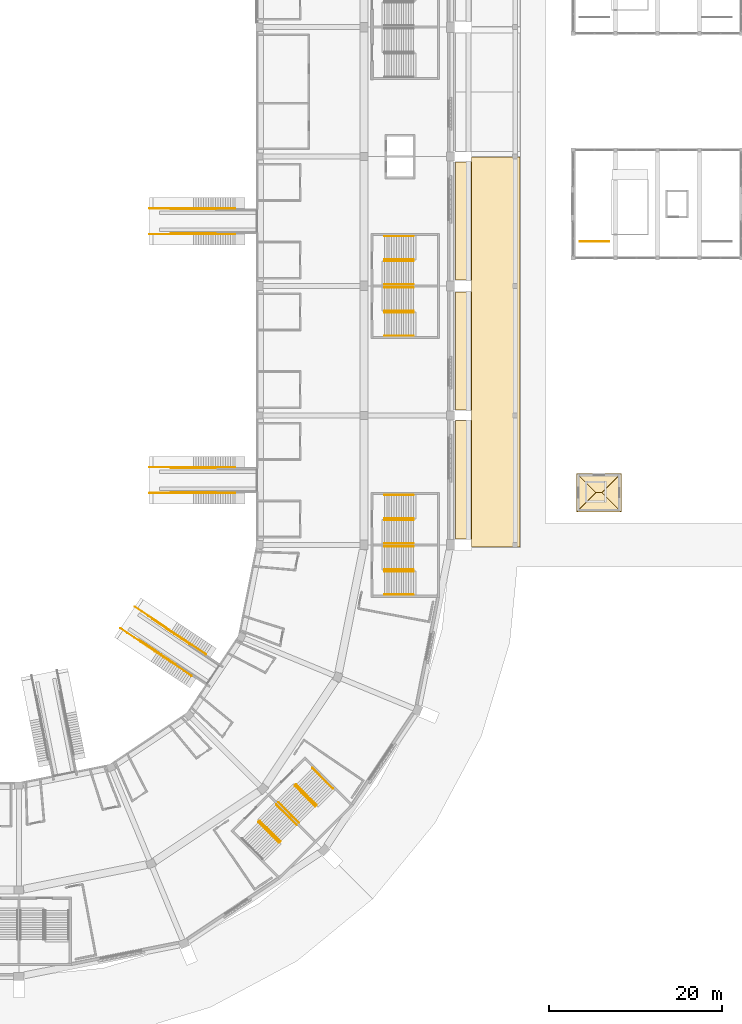
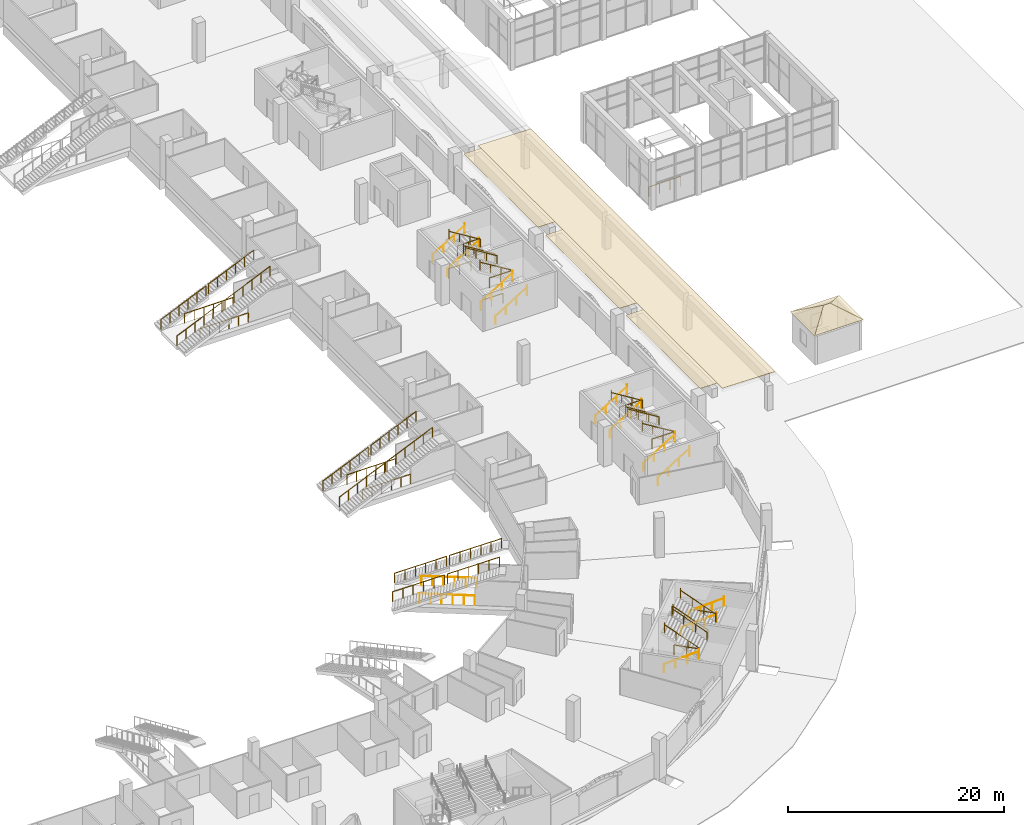
# One storey, part 160 of 175: 50 railings, 8 coverings.
"""IFC4 building model written with IfcOpenShell, lengths in metres."""

from ifc_helpers import new_model, si_unit, direction, frame, origin, origin_2d, place, context, subcontext, project, spatial, polyline, circle, outline, extrude, material, layer, layer_set, type_object, element, save


model = new_model("IFC4")

# Units and contexts
model_context = context("Model", 3, precision=1e-05, world=origin(), true_north=direction((0.0, 1.0)))
body_context = subcontext(model_context, "Body", "Model", "MODEL_VIEW")
ifc_project = project(units=[si_unit("LENGTHUNIT", "METRE"), si_unit("AREAUNIT", "SQUARE_METRE"), si_unit("VOLUMEUNIT", "CUBIC_METRE"), si_unit("PLANEANGLEUNIT", "RADIAN"), si_unit("MASSUNIT", "GRAM", prefix="KILO")], contexts=[model_context])

# Site, building, storey
site_placement = place(None, origin())
site = spatial("IfcSite", under=ifc_project, at=site_placement, CompositionType="ELEMENT")
building_placement = place(site_placement, origin())
building = spatial("IfcBuilding", under=site, at=building_placement, Name="Ogive Plaza Stadium", CompositionType="ELEMENT")
storey_placement = place(building_placement, origin())
storey = spatial("IfcBuildingStorey", under=building, at=storey_placement, Name="L00", CompositionType="ELEMENT", Elevation=0.0)

# Coverings
ifc_material_1 = material(Name="Zinc sheet", Category="metal")
ifc_layer_1 = layer(ifc_material_1, 0.0400390625)
ifc_layer_set_1 = layer_set([ifc_layer_1], Name="Arcade roof zinc 40")
covering_type_1 = type_object("IfcCoveringType", Name="Arcade roof zinc 40", PredefinedType="ROOFING", material=ifc_layer_set_1)
covering_1_placement = place(storey_placement, frame((86.419921875, -7.570068359375, 4.230712890625), z_axis=(0.016129032122, 0.0, 0.999869918701), x_axis=(0.999869918701, 0.0, -0.016129032122)))
element("IfcCovering", 1, at=covering_1_placement, inside=storey, type_object=covering_type_1, Name="Arcade roof covering 2", PredefinedType="ROOFING", context=body_context, shape_type="SweptSolid", body=[
    extrude(outline(polyline([(0.0, 0.0), (5.6308594226340976, 0.0), (5.6308594226340976, -45.169921875), (0.0, -45.169921875), (0.0, 0.0)])), origin(), (0.0, 0.0, -1.0), 0.0400390625),
])
for number, where, z_axis, x_axis, name in (
    (2, (84.60009765625, -21.7900390625, 4.260009765625), (0.016096653187, 0.0, 0.999870440485), (0.999870440485, 0.0, -0.016096653187), "Arcade roof covering 2 bay 1"),
    (3, (84.60009765625, -36.889892578125, 4.260009765625), (0.016096653187, 0.0, 0.999870440485), (0.999870440485, 0.0, -0.016096653187), "Arcade roof covering 2 bay 2"),
    (4, (84.60009765625, -51.7900390625, 4.260009765625), (0.016096653187, 0.0, 0.999870440485), (0.999870440485, 0.0, -0.016096653187), "Arcade roof covering 2 bay 3"),
):
    element("IfcCovering", number, at=place(storey_placement, frame(where, z_axis=z_axis, x_axis=x_axis)), inside=storey, type_object=covering_type_1, Name=name, PredefinedType="ROOFING", context=body_context, shape_type="SweptSolid", body=[
        extrude(outline(polyline([(0.0, 0.0), (1.820060024843635, 0.0), (1.820060024843635, 13.679931640625), (0.0, 13.679931640625), (0.0, 0.0)])), origin(), (0.0, 0.0, -1.0), 0.0400390625),
    ])

# Railings
ifc_material_2 = material(Name="Steel ASTM A572 Grade 50", Category="steel")
railing_type_1 = type_object("IfcRailingType", Name="Guard 1100", PredefinedType="GUARDRAIL", material=ifc_material_2)
for number, where, name in (
    (5, (76.35009765625, -25.47509765625, 0.0), "Stair well guard ST06A L00"),
    (6, (77.31005859375, -25.47509765625, 2.25), "Stair well guard ST06A L00"),
    (7, (76.35009765625, -19.52490234375, 0.0), "Stair well guard ST06B L00"),
    (8, (77.31005859375, -19.52490234375, 2.25), "Stair well guard ST06B L00"),
    (9, (77.31005859375, -55.47509765625, 2.25), "Stair well guard ST08A L00"),
    (10, (77.31005859375, -49.52490234375, 2.25), "Stair well guard ST08B L00"),
):
    element("IfcRailing", number, at=place(storey_placement, frame(where)), inside=storey, type_object=railing_type_1, Name=name, PredefinedType="GUARDRAIL", context=body_context, shape_type="SweptSolid", body=[
        extrude(circle(Radius=0.02392578125, at=origin_2d()), frame((0.0, 0.0, 1.076171875), z_axis=(1.0, 0.0, 0.0), x_axis=(0.0, 1.0, 0.0)), (0.0, 0.0, 1.0), 2.39990234375),
        extrude(circle(Radius=0.02099609375, at=origin_2d()), origin(), (0.0, 0.0, 1.0), 1.052001953125),
        extrude(circle(Radius=0.02099609375, at=origin_2d()), frame((1.199951171875, 0.0, 0.0)), (0.0, 0.0, 1.0), 1.052001953125),
        extrude(circle(Radius=0.02099609375, at=origin_2d()), frame((2.39990234375, 0.0, 0.0)), (0.0, 0.0, 1.0), 1.052001953125),
    ])
for number, where, name in (
    (11, (62.521240234375, -85.228515625, 2.25), "Stair well guard ST10A L00"),
    (12, (66.728515625, -81.021240234375, 2.25), "Stair well guard ST10B L00"),
):
    element("IfcRailing", number, at=place(storey_placement, frame(where)), inside=storey, type_object=railing_type_1, Name=name, PredefinedType="GUARDRAIL", context=body_context, shape_type="SweptSolid", body=[
        extrude(circle(Radius=0.02392578125, at=origin_2d()), frame((0.0, 0.0, 1.076171875), z_axis=(0.707106781187, -0.707106781187, 0.0), x_axis=(0.707106781187, 0.707106781187, 0.0)), (0.0, 0.0, 1.0), 2.39990234375),
        extrude(circle(Radius=0.02099609375, at=origin_2d()), origin(), (0.0, 0.0, 1.0), 1.052001953125),
        extrude(circle(Radius=0.02099609375, at=origin_2d()), frame((0.8486328125, -0.8486328125, 0.0)), (0.0, 0.0, 1.0), 1.052001953125),
        extrude(circle(Radius=0.02099609375, at=origin_2d()), frame((1.697021484375, -1.697021484375, 0.0)), (0.0, 0.0, 1.0), 1.052001953125),
    ])
for number, where, name in (
    (13, (49.14990234375, -16.5, 0.125), "Vomitory guard B05"),
    (14, (54.25, -16.5, 2.375), "Vomitory guard B05"),
    (15, (49.14990234375, -13.5, 0.125), "Vomitory guard B05"),
    (16, (54.25, -13.5, 2.375), "Vomitory guard B05"),
):
    element("IfcRailing", number, at=place(storey_placement, frame(where)), inside=storey, type_object=railing_type_1, Name=name, PredefinedType="GUARDRAIL", context=body_context, shape_type="SweptSolid", body=[
        extrude(circle(Radius=0.02392578125, at=origin_2d()), frame((0.0, 0.0, 1.076171875), z_axis=(0.914917297869, 0.0, 0.403641348302), x_axis=(0.0, 1.0, 0.0)), (0.0, 0.0, 1.0), 5.2646484375),
        extrude(circle(Radius=0.02099609375, at=origin_2d()), origin(), (0.0, 0.0, 1.0), 1.052001953125),
        extrude(circle(Radius=0.02099609375, at=origin_2d()), frame((0.96337890625, 0.0, 0.425048828125)), (0.0, 0.0, 1.0), 1.052001953125),
        extrude(circle(Radius=0.02099609375, at=origin_2d()), frame((1.9267578125, 0.0, 0.85009765625)), (0.0, 0.0, 1.0), 1.052001953125),
        extrude(circle(Radius=0.02099609375, at=origin_2d()), frame((2.889892578125, 0.0, 1.27490234375)), (0.0, 0.0, 1.0), 1.052001953125),
        extrude(circle(Radius=0.02099609375, at=origin_2d()), frame((3.853271484375, 0.0, 1.699951171875)), (0.0, 0.0, 1.0), 1.052001953125),
        extrude(circle(Radius=0.02099609375, at=origin_2d()), frame((4.816650390625, 0.0, 2.125)), (0.0, 0.0, 1.0), 1.052001953125),
    ])
for number, where, name in (
    (17, (51.643310546875, -16.419921875, 0.0), "Vomitory edge guard B05"),
    (18, (51.643310546875, -13.580078125, 0.0), "Vomitory edge guard B05"),
):
    element("IfcRailing", number, at=place(storey_placement, frame(where)), inside=storey, type_object=railing_type_1, Name=name, PredefinedType="GUARDRAIL", context=body_context, shape_type="SweptSolid", body=[
        extrude(circle(Radius=0.02392578125, at=origin_2d()), frame((0.0, 0.0, 1.076171875), z_axis=(1.0, 0.0, 0.0), x_axis=(0.0, 1.0, 0.0)), (0.0, 0.0, 1.0), 5.15673828125),
        extrude(circle(Radius=0.02099609375, at=origin_2d()), origin(), (0.0, 0.0, 1.0), 1.052001953125),
        extrude(circle(Radius=0.02099609375, at=origin_2d()), frame((1.03125, 0.0, 0.0)), (0.0, 0.0, 1.0), 1.052001953125),
        extrude(circle(Radius=0.02099609375, at=origin_2d()), frame((2.062744140625, 0.0, 0.0)), (0.0, 0.0, 1.0), 1.052001953125),
        extrude(circle(Radius=0.02099609375, at=origin_2d()), frame((3.093994140625, 0.0, 0.0)), (0.0, 0.0, 1.0), 1.052001953125),
        extrude(circle(Radius=0.02099609375, at=origin_2d()), frame((4.12548828125, 0.0, 0.0)), (0.0, 0.0, 1.0), 1.052001953125),
        extrude(circle(Radius=0.02099609375, at=origin_2d()), frame((5.15673828125, 0.0, 0.0)), (0.0, 0.0, 1.0), 1.052001953125),
    ])
for number, where, name in (
    (19, (49.14990234375, -46.5, 0.125), "Vomitory guard B07"),
    (20, (54.25, -46.5, 2.375), "Vomitory guard B07"),
    (21, (49.14990234375, -43.5, 0.125), "Vomitory guard B07"),
    (22, (54.25, -43.5, 2.375), "Vomitory guard B07"),
):
    element("IfcRailing", number, at=place(storey_placement, frame(where)), inside=storey, type_object=railing_type_1, Name=name, PredefinedType="GUARDRAIL", context=body_context, shape_type="SweptSolid", body=[
        extrude(circle(Radius=0.02392578125, at=origin_2d()), frame((0.0, 0.0, 1.076171875), z_axis=(0.914917297869, 0.0, 0.403641348302), x_axis=(0.0, 1.0, 0.0)), (0.0, 0.0, 1.0), 5.2646484375),
        extrude(circle(Radius=0.02099609375, at=origin_2d()), origin(), (0.0, 0.0, 1.0), 1.052001953125),
        extrude(circle(Radius=0.02099609375, at=origin_2d()), frame((0.96337890625, 0.0, 0.425048828125)), (0.0, 0.0, 1.0), 1.052001953125),
        extrude(circle(Radius=0.02099609375, at=origin_2d()), frame((1.9267578125, 0.0, 0.85009765625)), (0.0, 0.0, 1.0), 1.052001953125),
        extrude(circle(Radius=0.02099609375, at=origin_2d()), frame((2.889892578125, 0.0, 1.27490234375)), (0.0, 0.0, 1.0), 1.052001953125),
        extrude(circle(Radius=0.02099609375, at=origin_2d()), frame((3.853271484375, 0.0, 1.699951171875)), (0.0, 0.0, 1.0), 1.052001953125),
        extrude(circle(Radius=0.02099609375, at=origin_2d()), frame((4.816650390625, 0.0, 2.125)), (0.0, 0.0, 1.0), 1.052001953125),
    ])
for number, where, name in (
    (23, (51.643310546875, -46.419921875, 0.0), "Vomitory edge guard B07"),
    (24, (51.643310546875, -43.580078125, 0.0), "Vomitory edge guard B07"),
):
    element("IfcRailing", number, at=place(storey_placement, frame(where)), inside=storey, type_object=railing_type_1, Name=name, PredefinedType="GUARDRAIL", context=body_context, shape_type="SweptSolid", body=[
        extrude(circle(Radius=0.02392578125, at=origin_2d()), frame((0.0, 0.0, 1.076171875), z_axis=(1.0, 0.0, 0.0), x_axis=(0.0, 1.0, 0.0)), (0.0, 0.0, 1.0), 5.15673828125),
        extrude(circle(Radius=0.02099609375, at=origin_2d()), origin(), (0.0, 0.0, 1.0), 1.052001953125),
        extrude(circle(Radius=0.02099609375, at=origin_2d()), frame((1.03125, 0.0, 0.0)), (0.0, 0.0, 1.0), 1.052001953125),
        extrude(circle(Radius=0.02099609375, at=origin_2d()), frame((2.062744140625, 0.0, 0.0)), (0.0, 0.0, 1.0), 1.052001953125),
        extrude(circle(Radius=0.02099609375, at=origin_2d()), frame((3.093994140625, 0.0, 0.0)), (0.0, 0.0, 1.0), 1.052001953125),
        extrude(circle(Radius=0.02099609375, at=origin_2d()), frame((4.12548828125, 0.0, 0.0)), (0.0, 0.0, 1.0), 1.052001953125),
        extrude(circle(Radius=0.02099609375, at=origin_2d()), frame((5.15673828125, 0.0, 0.0)), (0.0, 0.0, 1.0), 1.052001953125),
    ])
for number, where, name in (
    (25, (45.763427734375, -62.1640625, 0.125), "Vomitory guard B09"),
    (26, (50.00390625, -64.99755859375, 2.375), "Vomitory guard B09"),
    (27, (47.43017578125, -59.669677734375, 0.125), "Vomitory guard B09"),
    (28, (51.670654296875, -62.503173828125, 2.375), "Vomitory guard B09"),
):
    element("IfcRailing", number, at=place(storey_placement, frame(where)), inside=storey, type_object=railing_type_1, Name=name, PredefinedType="GUARDRAIL", context=body_context, shape_type="SweptSolid", body=[
        extrude(circle(Radius=0.02392578125, at=origin_2d()), frame((0.0, 0.0, 1.076171875), z_axis=(0.760721903755, -0.508307290116, 0.403640785801), x_axis=(0.555577158095, 0.831464985073, 0.0)), (0.0, 0.0, 1.0), 5.2646484375),
        extrude(circle(Radius=0.02099609375, at=origin_2d()), origin(), (0.0, 0.0, 1.0), 1.052001953125),
        extrude(circle(Radius=0.02099609375, at=origin_2d()), frame((0.801025390625, -0.53515625, 0.425048828125)), (0.0, 0.0, 1.0), 1.052001953125),
        extrude(circle(Radius=0.02099609375, at=origin_2d()), frame((1.60205078125, -1.0703125, 0.85009765625)), (0.0, 0.0, 1.0), 1.052001953125),
        extrude(circle(Radius=0.02099609375, at=origin_2d()), frame((2.40283203125, -1.605712890625, 1.27490234375)), (0.0, 0.0, 1.0), 1.052001953125),
        extrude(circle(Radius=0.02099609375, at=origin_2d()), frame((3.203857421875, -2.140869140625, 1.699951171875)), (0.0, 0.0, 1.0), 1.052001953125),
        extrude(circle(Radius=0.02099609375, at=origin_2d()), frame((4.0048828125, -2.676025390625, 2.125)), (0.0, 0.0, 1.0), 1.052001953125),
    ])
railing_1_placement = place(storey_placement, frame((47.881103515625, -63.48291015625, 0.0)))
element("IfcRailing", 29, at=railing_1_placement, inside=storey, type_object=railing_type_1, Name="Vomitory edge guard B09", PredefinedType="GUARDRAIL", context=body_context, shape_type="SweptSolid", body=[
    extrude(circle(Radius=0.02392578125, at=origin_2d()), frame((0.0, 0.0, 1.076171875), z_axis=(0.831481711871, -0.555552124308, 0.0), x_axis=(0.555552124308, 0.831481711871, 0.0)), (0.0, 0.0, 1.0), 5.156494140625),
    extrude(circle(Radius=0.02099609375, at=origin_2d()), origin(), (0.0, 0.0, 1.0), 1.052001953125),
    extrude(circle(Radius=0.02099609375, at=origin_2d()), frame((0.857421875, -0.572998046875, 0.0)), (0.0, 0.0, 1.0), 1.052001953125),
    extrude(circle(Radius=0.02099609375, at=origin_2d()), frame((1.715087890625, -1.14599609375, 0.0)), (0.0, 0.0, 1.0), 1.052001953125),
    extrude(circle(Radius=0.02099609375, at=origin_2d()), frame((2.572509765625, -1.71875, 0.0)), (0.0, 0.0, 1.0), 1.052001953125),
    extrude(circle(Radius=0.02099609375, at=origin_2d()), frame((3.43017578125, -2.291748046875, 0.0)), (0.0, 0.0, 1.0), 1.052001953125),
    extrude(circle(Radius=0.02099609375, at=origin_2d()), frame((4.28759765625, -2.86474609375, 0.0)), (0.0, 0.0, 1.0), 1.052001953125),
])
railing_2_placement = place(storey_placement, frame((49.458740234375, -61.121337890625, 0.0)))
element("IfcRailing", 30, at=railing_2_placement, inside=storey, type_object=railing_type_1, Name="Vomitory edge guard B09", PredefinedType="GUARDRAIL", context=body_context, shape_type="SweptSolid", body=[
    extrude(circle(Radius=0.02392578125, at=origin_2d()), frame((0.0, 0.0, 1.076171875), z_axis=(0.831459841427, -0.55558485589, 0.0), x_axis=(0.55558485589, 0.831459841427, 0.0)), (0.0, 0.0, 1.0), 5.15673828125),
    extrude(circle(Radius=0.02099609375, at=origin_2d()), origin(), (0.0, 0.0, 1.0), 1.052001953125),
    extrude(circle(Radius=0.02099609375, at=origin_2d()), frame((0.857421875, -0.572998046875, 0.0)), (0.0, 0.0, 1.0), 1.052001953125),
    extrude(circle(Radius=0.02099609375, at=origin_2d()), frame((1.715087890625, -1.14599609375, 0.0)), (0.0, 0.0, 1.0), 1.052001953125),
    extrude(circle(Radius=0.02099609375, at=origin_2d()), frame((2.572509765625, -1.718994140625, 0.0)), (0.0, 0.0, 1.0), 1.052001953125),
    extrude(circle(Radius=0.02099609375, at=origin_2d()), frame((3.43017578125, -2.2919921875, 0.0)), (0.0, 0.0, 1.0), 1.052001953125),
    extrude(circle(Radius=0.02099609375, at=origin_2d()), frame((4.28759765625, -2.864990234375, 0.0)), (0.0, 0.0, 1.0), 1.052001953125),
])
ifc_material_3 = material(Name="Steel ASTM A572 Grade 50", Category="steel")
railing_type_2 = type_object("IfcRailingType", Name="Handrail 900", PredefinedType="HANDRAIL", material=ifc_material_3)
for number, where, name in (
    (31, (76.35009765625, -28.264892578125, 0.173095703125), "Handrail ST06A L00"),
    (32, (76.35009765625, -25.5849609375, 0.173095703125), "Handrail ST06A L00"),
):
    element("IfcRailing", number, at=place(storey_placement, frame(where)), inside=storey, type_object=railing_type_2, Name=name, PredefinedType="HANDRAIL", context=body_context, shape_type="SweptSolid", body=[
        extrude(circle(Radius=0.02392578125, at=origin_2d()), frame((0.0, 0.0, 0.8759765625), z_axis=(0.850606129759, 0.0, 0.525803396734), x_axis=(0.0, 1.0, 0.0)), (0.0, 0.0, 1.0), 3.949951171875),
        extrude(circle(Radius=0.02099609375, at=origin_2d()), origin(), (0.0, 0.0, 1.0), 0.851806640625),
        extrude(circle(Radius=0.02099609375, at=origin_2d()), frame((1.119873046875, 0.0, 0.6923828125)), (0.0, 0.0, 1.0), 0.851806640625),
        extrude(circle(Radius=0.02099609375, at=origin_2d()), frame((2.239990234375, 0.0, 1.384521484375)), (0.0, 0.0, 1.0), 0.851806640625),
        extrude(circle(Radius=0.02099609375, at=origin_2d()), frame((3.35986328125, 0.0, 2.076904296875)), (0.0, 0.0, 1.0), 1.10009765625),
    ])
for number, where, name in (
    (33, (79.7099609375, -25.364990234375, 2.423095703125), "Handrail ST06A L00"),
    (34, (79.7099609375, -22.68505859375, 2.423095703125), "Handrail ST06A L00"),
):
    element("IfcRailing", number, at=place(storey_placement, frame(where)), inside=storey, type_object=railing_type_2, Name=name, PredefinedType="HANDRAIL", context=body_context, shape_type="SweptSolid", body=[
        extrude(circle(Radius=0.02392578125, at=origin_2d()), frame((0.0, 0.0, 0.8759765625), z_axis=(-0.850606129759, 0.0, 0.525803396734), x_axis=(0.0, -1.0, 0.0)), (0.0, 0.0, 1.0), 3.949951171875),
        extrude(circle(Radius=0.02099609375, at=origin_2d()), origin(), (0.0, 0.0, 1.0), 0.851806640625),
        extrude(circle(Radius=0.02099609375, at=origin_2d()), frame((-1.119873046875, 0.0, 0.6923828125)), (0.0, 0.0, 1.0), 0.851806640625),
        extrude(circle(Radius=0.02099609375, at=origin_2d()), frame((-2.239990234375, 0.0, 1.384521484375)), (0.0, 0.0, 1.0), 0.851806640625),
        extrude(circle(Radius=0.02099609375, at=origin_2d()), frame((-3.35986328125, 0.0, 2.076904296875)), (0.0, 0.0, 1.0), 1.10009765625),
    ])
for number, where, name in (
    (35, (76.35009765625, -19.4150390625, 0.173095703125), "Handrail ST06B L00"),
    (36, (76.35009765625, -16.735107421875, 0.173095703125), "Handrail ST06B L00"),
):
    element("IfcRailing", number, at=place(storey_placement, frame(where)), inside=storey, type_object=railing_type_2, Name=name, PredefinedType="HANDRAIL", context=body_context, shape_type="SweptSolid", body=[
        extrude(circle(Radius=0.02392578125, at=origin_2d()), frame((0.0, 0.0, 0.8759765625), z_axis=(0.850606129759, 0.0, 0.525803396734), x_axis=(0.0, 1.0, 0.0)), (0.0, 0.0, 1.0), 3.949951171875),
        extrude(circle(Radius=0.02099609375, at=origin_2d()), origin(), (0.0, 0.0, 1.0), 0.851806640625),
        extrude(circle(Radius=0.02099609375, at=origin_2d()), frame((1.119873046875, 0.0, 0.6923828125)), (0.0, 0.0, 1.0), 0.851806640625),
        extrude(circle(Radius=0.02099609375, at=origin_2d()), frame((2.239990234375, 0.0, 1.384521484375)), (0.0, 0.0, 1.0), 0.851806640625),
        extrude(circle(Radius=0.02099609375, at=origin_2d()), frame((3.35986328125, 0.0, 2.076904296875)), (0.0, 0.0, 1.0), 1.10009765625),
    ])
for number, where, name in (
    (37, (79.7099609375, -22.31494140625, 2.423095703125), "Handrail ST06B L00"),
    (38, (79.7099609375, -19.635009765625, 2.423095703125), "Handrail ST06B L00"),
):
    element("IfcRailing", number, at=place(storey_placement, frame(where)), inside=storey, type_object=railing_type_2, Name=name, PredefinedType="HANDRAIL", context=body_context, shape_type="SweptSolid", body=[
        extrude(circle(Radius=0.02392578125, at=origin_2d()), frame((0.0, 0.0, 0.8759765625), z_axis=(-0.850606129759, 0.0, 0.525803396734), x_axis=(0.0, -1.0, 0.0)), (0.0, 0.0, 1.0), 3.949951171875),
        extrude(circle(Radius=0.02099609375, at=origin_2d()), origin(), (0.0, 0.0, 1.0), 0.851806640625),
        extrude(circle(Radius=0.02099609375, at=origin_2d()), frame((-1.119873046875, 0.0, 0.6923828125)), (0.0, 0.0, 1.0), 0.851806640625),
        extrude(circle(Radius=0.02099609375, at=origin_2d()), frame((-2.239990234375, 0.0, 1.384521484375)), (0.0, 0.0, 1.0), 0.851806640625),
        extrude(circle(Radius=0.02099609375, at=origin_2d()), frame((-3.35986328125, 0.0, 2.076904296875)), (0.0, 0.0, 1.0), 1.10009765625),
    ])
for number, where, name in (
    (39, (76.35009765625, -58.264892578125, 0.173095703125), "Handrail ST08A L00"),
    (40, (76.35009765625, -55.5849609375, 0.173095703125), "Handrail ST08A L00"),
):
    element("IfcRailing", number, at=place(storey_placement, frame(where)), inside=storey, type_object=railing_type_2, Name=name, PredefinedType="HANDRAIL", context=body_context, shape_type="SweptSolid", body=[
        extrude(circle(Radius=0.02392578125, at=origin_2d()), frame((0.0, 0.0, 0.8759765625), z_axis=(0.850606129759, 0.0, 0.525803396734), x_axis=(0.0, 1.0, 0.0)), (0.0, 0.0, 1.0), 3.949951171875),
        extrude(circle(Radius=0.02099609375, at=origin_2d()), origin(), (0.0, 0.0, 1.0), 0.851806640625),
        extrude(circle(Radius=0.02099609375, at=origin_2d()), frame((1.119873046875, 0.0, 0.6923828125)), (0.0, 0.0, 1.0), 0.851806640625),
        extrude(circle(Radius=0.02099609375, at=origin_2d()), frame((2.239990234375, 0.0, 1.384521484375)), (0.0, 0.0, 1.0), 0.851806640625),
        extrude(circle(Radius=0.02099609375, at=origin_2d()), frame((3.35986328125, 0.0, 2.076904296875)), (0.0, 0.0, 1.0), 1.10009765625),
    ])
for number, where, name in (
    (41, (79.7099609375, -55.364990234375, 2.423095703125), "Handrail ST08A L00"),
    (42, (79.7099609375, -52.68505859375, 2.423095703125), "Handrail ST08A L00"),
):
    element("IfcRailing", number, at=place(storey_placement, frame(where)), inside=storey, type_object=railing_type_2, Name=name, PredefinedType="HANDRAIL", context=body_context, shape_type="SweptSolid", body=[
        extrude(circle(Radius=0.02392578125, at=origin_2d()), frame((0.0, 0.0, 0.8759765625), z_axis=(-0.850606129759, 0.0, 0.525803396734), x_axis=(0.0, -1.0, 0.0)), (0.0, 0.0, 1.0), 3.949951171875),
        extrude(circle(Radius=0.02099609375, at=origin_2d()), origin(), (0.0, 0.0, 1.0), 0.851806640625),
        extrude(circle(Radius=0.02099609375, at=origin_2d()), frame((-1.119873046875, 0.0, 0.6923828125)), (0.0, 0.0, 1.0), 0.851806640625),
        extrude(circle(Radius=0.02099609375, at=origin_2d()), frame((-2.239990234375, 0.0, 1.384521484375)), (0.0, 0.0, 1.0), 0.851806640625),
        extrude(circle(Radius=0.02099609375, at=origin_2d()), frame((-3.35986328125, 0.0, 2.076904296875)), (0.0, 0.0, 1.0), 1.10009765625),
    ])
for number, where, name in (
    (43, (76.35009765625, -49.4150390625, 0.173095703125), "Handrail ST08B L00"),
    (44, (76.35009765625, -46.735107421875, 0.173095703125), "Handrail ST08B L00"),
):
    element("IfcRailing", number, at=place(storey_placement, frame(where)), inside=storey, type_object=railing_type_2, Name=name, PredefinedType="HANDRAIL", context=body_context, shape_type="SweptSolid", body=[
        extrude(circle(Radius=0.02392578125, at=origin_2d()), frame((0.0, 0.0, 0.8759765625), z_axis=(0.850606129759, 0.0, 0.525803396734), x_axis=(0.0, 1.0, 0.0)), (0.0, 0.0, 1.0), 3.949951171875),
        extrude(circle(Radius=0.02099609375, at=origin_2d()), origin(), (0.0, 0.0, 1.0), 0.851806640625),
        extrude(circle(Radius=0.02099609375, at=origin_2d()), frame((1.119873046875, 0.0, 0.6923828125)), (0.0, 0.0, 1.0), 0.851806640625),
        extrude(circle(Radius=0.02099609375, at=origin_2d()), frame((2.239990234375, 0.0, 1.384521484375)), (0.0, 0.0, 1.0), 0.851806640625),
        extrude(circle(Radius=0.02099609375, at=origin_2d()), frame((3.35986328125, 0.0, 2.076904296875)), (0.0, 0.0, 1.0), 1.10009765625),
    ])
for number, where, name in (
    (45, (79.7099609375, -52.31494140625, 2.423095703125), "Handrail ST08B L00"),
    (46, (79.7099609375, -49.635009765625, 2.423095703125), "Handrail ST08B L00"),
):
    element("IfcRailing", number, at=place(storey_placement, frame(where)), inside=storey, type_object=railing_type_2, Name=name, PredefinedType="HANDRAIL", context=body_context, shape_type="SweptSolid", body=[
        extrude(circle(Radius=0.02392578125, at=origin_2d()), frame((0.0, 0.0, 0.8759765625), z_axis=(-0.850606129759, 0.0, 0.525803396734), x_axis=(0.0, -1.0, 0.0)), (0.0, 0.0, 1.0), 3.949951171875),
        extrude(circle(Radius=0.02099609375, at=origin_2d()), origin(), (0.0, 0.0, 1.0), 0.851806640625),
        extrude(circle(Radius=0.02099609375, at=origin_2d()), frame((-1.119873046875, 0.0, 0.6923828125)), (0.0, 0.0, 1.0), 0.851806640625),
        extrude(circle(Radius=0.02099609375, at=origin_2d()), frame((-2.239990234375, 0.0, 1.384521484375)), (0.0, 0.0, 1.0), 0.851806640625),
        extrude(circle(Radius=0.02099609375, at=origin_2d()), frame((-3.35986328125, 0.0, 2.076904296875)), (0.0, 0.0, 1.0), 1.10009765625),
    ])
railing_3_placement = place(storey_placement, frame((61.7646484375, -84.62744140625, 0.173095703125)))
element("IfcRailing", 47, at=railing_3_placement, inside=storey, type_object=railing_type_2, Name="Handrail ST10A L00", PredefinedType="HANDRAIL", context=body_context, shape_type="SweptSolid", body=[
    extrude(circle(Radius=0.02392578125, at=origin_2d()), frame((0.0, 0.0, 0.8759765625), z_axis=(0.601465884576, -0.601465884576, 0.525811353416), x_axis=(0.707106781187, 0.707106781187, 0.0)), (0.0, 0.0, 1.0), 3.949951171875),
    extrude(circle(Radius=0.02099609375, at=origin_2d()), origin(), (0.0, 0.0, 1.0), 0.851806640625),
    extrude(circle(Radius=0.02099609375, at=origin_2d()), frame((0.7919921875, -0.7919921875, 0.6923828125)), (0.0, 0.0, 1.0), 0.851806640625),
    extrude(circle(Radius=0.02099609375, at=origin_2d()), frame((1.583740234375, -1.583740234375, 1.384521484375)), (0.0, 0.0, 1.0), 0.851806640625),
    extrude(circle(Radius=0.02099609375, at=origin_2d()), frame((2.375732421875, -2.375732421875, 2.076904296875)), (0.0, 0.0, 1.0), 1.10009765625),
])
for number, where, name in (
    (48, (64.2958984375, -86.84765625, 2.423095703125), "Handrail ST10A L00"),
    (49, (66.19091796875, -84.95263671875, 2.423095703125), "Handrail ST10A L00"),
):
    element("IfcRailing", number, at=place(storey_placement, frame(where)), inside=storey, type_object=railing_type_2, Name=name, PredefinedType="HANDRAIL", context=body_context, shape_type="SweptSolid", body=[
        extrude(circle(Radius=0.02392578125, at=origin_2d()), frame((0.0, 0.0, 0.8759765625), z_axis=(-0.601465884576, 0.601465884576, 0.525811353416), x_axis=(-0.707106781187, -0.707106781187, 0.0)), (0.0, 0.0, 1.0), 3.949951171875),
        extrude(circle(Radius=0.02099609375, at=origin_2d()), origin(), (0.0, 0.0, 1.0), 0.851806640625),
        extrude(circle(Radius=0.02099609375, at=origin_2d()), frame((-0.7919921875, 0.7919921875, 0.6923828125)), (0.0, 0.0, 1.0), 0.851806640625),
        extrude(circle(Radius=0.02099609375, at=origin_2d()), frame((-1.583740234375, 1.583740234375, 1.384521484375)), (0.0, 0.0, 1.0), 0.851806640625),
        extrude(circle(Radius=0.02099609375, at=origin_2d()), frame((-2.375732421875, 2.375732421875, 2.076904296875)), (0.0, 0.0, 1.0), 1.10009765625),
    ])
railing_4_placement = place(storey_placement, frame((66.12744140625, -80.2646484375, 0.173095703125)))
element("IfcRailing", 50, at=railing_4_placement, inside=storey, type_object=railing_type_2, Name="Handrail ST10B L00", PredefinedType="HANDRAIL", context=body_context, shape_type="SweptSolid", body=[
    extrude(circle(Radius=0.02392578125, at=origin_2d()), frame((0.0, 0.0, 0.8759765625), z_axis=(0.601465884576, -0.601465884576, 0.525811353416), x_axis=(0.707106781187, 0.707106781187, 0.0)), (0.0, 0.0, 1.0), 3.949951171875),
    extrude(circle(Radius=0.02099609375, at=origin_2d()), origin(), (0.0, 0.0, 1.0), 0.851806640625),
    extrude(circle(Radius=0.02099609375, at=origin_2d()), frame((0.7919921875, -0.7919921875, 0.6923828125)), (0.0, 0.0, 1.0), 0.851806640625),
    extrude(circle(Radius=0.02099609375, at=origin_2d()), frame((1.583740234375, -1.583740234375, 1.384521484375)), (0.0, 0.0, 1.0), 0.851806640625),
    extrude(circle(Radius=0.02099609375, at=origin_2d()), frame((2.375732421875, -2.375732421875, 2.076904296875)), (0.0, 0.0, 1.0), 1.10009765625),
])
railing_5_placement = place(storey_placement, frame((68.0224609375, -78.369384765625, 0.173095703125)))
element("IfcRailing", 51, at=railing_5_placement, inside=storey, type_object=railing_type_2, Name="Handrail ST10B L00", PredefinedType="HANDRAIL", context=body_context, shape_type="SweptSolid", body=[
    extrude(circle(Radius=0.02392578125, at=origin_2d()), frame((0.0, 0.0, 0.8759765625), z_axis=(0.601482971545, -0.601482971545, 0.525772260474), x_axis=(0.707106781187, 0.707106781187, 0.0)), (0.0, 0.0, 1.0), 3.9501953125),
    extrude(circle(Radius=0.02099609375, at=origin_2d()), origin(), (0.0, 0.0, 1.0), 0.851806640625),
    extrude(circle(Radius=0.02099609375, at=origin_2d()), frame((0.7919921875, -0.7919921875, 0.6923828125)), (0.0, 0.0, 1.0), 0.851806640625),
    extrude(circle(Radius=0.02099609375, at=origin_2d()), frame((1.583984375, -1.583984375, 1.384521484375)), (0.0, 0.0, 1.0), 0.851806640625),
    extrude(circle(Radius=0.02099609375, at=origin_2d()), frame((2.3759765625, -2.3759765625, 2.076904296875)), (0.0, 0.0, 1.0), 1.10009765625),
])
for number, where, name in (
    (52, (66.45263671875, -84.69091796875, 2.423095703125), "Handrail ST10B L00"),
    (53, (68.34765625, -82.7958984375, 2.423095703125), "Handrail ST10B L00"),
):
    element("IfcRailing", number, at=place(storey_placement, frame(where)), inside=storey, type_object=railing_type_2, Name=name, PredefinedType="HANDRAIL", context=body_context, shape_type="SweptSolid", body=[
        extrude(circle(Radius=0.02392578125, at=origin_2d()), frame((0.0, 0.0, 0.8759765625), z_axis=(-0.601465884576, 0.601465884576, 0.525811353416), x_axis=(-0.707106781187, -0.707106781187, 0.0)), (0.0, 0.0, 1.0), 3.949951171875),
        extrude(circle(Radius=0.02099609375, at=origin_2d()), origin(), (0.0, 0.0, 1.0), 0.851806640625),
        extrude(circle(Radius=0.02099609375, at=origin_2d()), frame((-0.7919921875, 0.7919921875, 0.6923828125)), (0.0, 0.0, 1.0), 0.851806640625),
        extrude(circle(Radius=0.02099609375, at=origin_2d()), frame((-1.583740234375, 1.583740234375, 1.384521484375)), (0.0, 0.0, 1.0), 0.851806640625),
        extrude(circle(Radius=0.02099609375, at=origin_2d()), frame((-2.375732421875, 2.375732421875, 2.076904296875)), (0.0, 0.0, 1.0), 1.10009765625),
    ])

# Coverings
ifc_material_4 = material(Name="Copper sheet", Category="metal")
ifc_layer_2 = layer(ifc_material_4, 0.030029296875)
ifc_layer_set_2 = layer_set([ifc_layer_2], Name="Kiosk roof copper 30")
covering_type_2 = type_object("IfcCoveringType", Name="Kiosk roof copper 30", PredefinedType="ROOFING", material=ifc_layer_set_2)
covering_2_placement = place(storey_placement, frame((98.60009765625, -48.699951171875, 3.426025390625), z_axis=(0.0, -0.500291685314, 0.865856933682), x_axis=(1.0, 0.0, 0.0)))
element("IfcCovering", 54, at=covering_2_placement, inside=storey, type_object=covering_type_2, Name="Kiosk roof facet kiosk1 1", PredefinedType="ROOFING", context=body_context, shape_type="SweptSolid", body=[
    extrude(outline(polyline([(0.0, 0.0), (5.199951171875, 0.0), (2.949951171875, 2.5985817199982737), (2.25, 2.5985817199982737), (0.0, 0.0)])), origin(), (0.0, 0.0, -1.0), 0.030029296875),
])
covering_3_placement = place(storey_placement, frame((103.800048828125, -48.699951171875, 3.426025390625), z_axis=(0.500291685314, 0.0, 0.865856933682), x_axis=(0.0, 1.0, 0.0)))
element("IfcCovering", 55, at=covering_3_placement, inside=storey, type_object=covering_type_2, Name="Kiosk roof facet kiosk1 2", PredefinedType="ROOFING", context=body_context, shape_type="SweptSolid", body=[
    extrude(outline(polyline([(0.0, 0.0), (4.5, 0.0), (2.25, 2.5985817199982737), (0.0, 0.0)])), origin(), (0.0, 0.0, -1.0), 0.030029296875),
])
covering_4_placement = place(storey_placement, frame((103.800048828125, -44.199951171875, 3.426025390625), z_axis=(0.0, 0.500291685314, 0.865856933682), x_axis=(-1.0, 0.0, 0.0)))
element("IfcCovering", 56, at=covering_4_placement, inside=storey, type_object=covering_type_2, Name="Kiosk roof facet kiosk1 3", PredefinedType="ROOFING", context=body_context, shape_type="SweptSolid", body=[
    extrude(outline(polyline([(0.0, 0.0), (5.199951171875, 0.0), (2.949951171875, 2.5985817199982737), (2.25, 2.5985817199982737), (0.0, 0.0)])), origin(), (0.0, 0.0, -1.0), 0.030029296875),
])
covering_5_placement = place(storey_placement, frame((98.60009765625, -44.199951171875, 3.426025390625), z_axis=(-0.500291685314, 0.0, 0.865856933682), x_axis=(0.0, -1.0, 0.0)))
element("IfcCovering", 57, at=covering_5_placement, inside=storey, type_object=covering_type_2, Name="Kiosk roof facet kiosk1 4", PredefinedType="ROOFING", context=body_context, shape_type="SweptSolid", body=[
    extrude(outline(polyline([(0.0, 0.0), (4.5, 0.0), (2.25, 2.5985817199982737), (0.0, 0.0)])), origin(), (0.0, 0.0, -1.0), 0.030029296875),
])

# Railing
ifc_material_5 = material(Name="Stainless steel", Category="steel")
railing_type_3 = type_object("IfcRailingType", Name="Station guard 1100", PredefinedType="GUARDRAIL", material=ifc_material_5)
railing_6_placement = place(storey_placement, frame((99.0, -17.36376953125, 0.0)))
element("IfcRailing", 58, at=railing_6_placement, inside=storey, type_object=railing_type_3, Name="Station guard 1100 GR-QS1", PredefinedType="GUARDRAIL", context=body_context, shape_type="SweptSolid", body=[
    extrude(circle(Radius=0.02392578125, at=origin_2d()), frame((0.0, 0.0, 1.076171875), z_axis=(1.0, 0.0, 0.0), x_axis=(0.0, 1.0, 0.0)), (0.0, 0.0, 1.0), 3.39990234375),
    extrude(circle(Radius=0.02099609375, at=origin_2d()), origin(), (0.0, 0.0, 1.0), 1.052001953125),
    extrude(circle(Radius=0.02099609375, at=origin_2d()), frame((1.13330078125, 0.0, 0.0)), (0.0, 0.0, 1.0), 1.052001953125),
    extrude(circle(Radius=0.02099609375, at=origin_2d()), frame((2.2666015625, 0.0, 0.0)), (0.0, 0.0, 1.0), 1.052001953125),
    extrude(circle(Radius=0.02099609375, at=origin_2d()), frame((3.39990234375, 0.0, 0.0)), (0.0, 0.0, 1.0), 1.052001953125),
])

save(model, "model.ifc")
